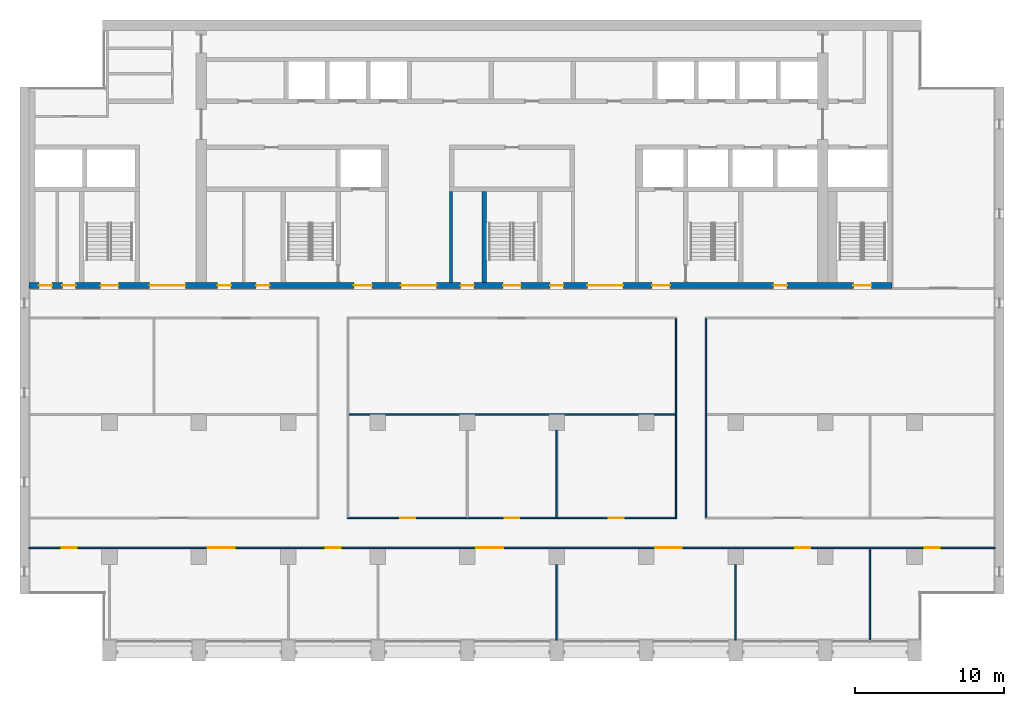
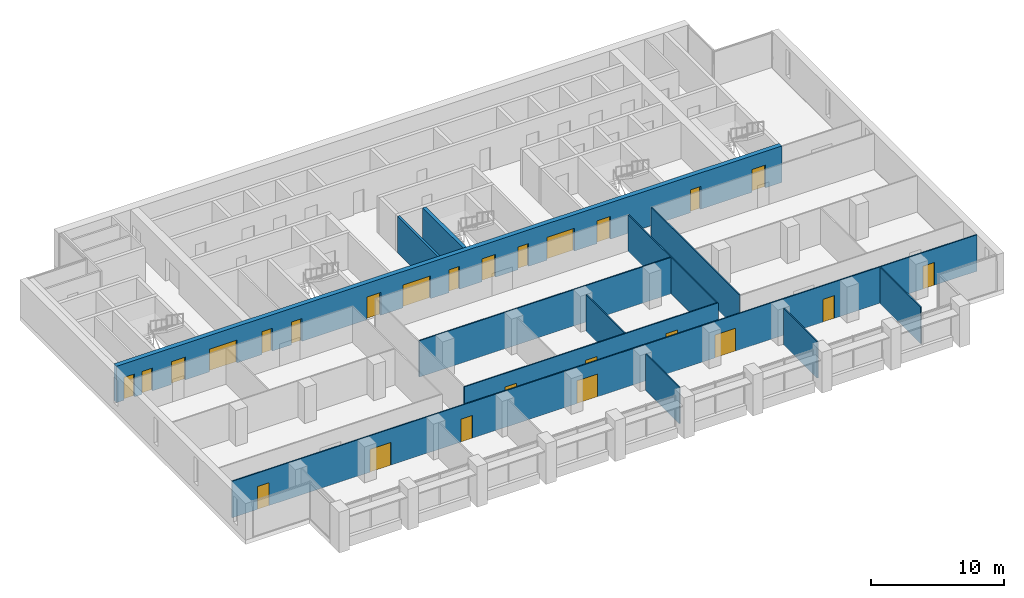
# One storey, part 9 of 17: 25 doors, 12 walls, 25 openings.
"""IFC4 building model written with IfcOpenShell, lengths in metres."""

import ifcopenshell
import ifcopenshell.guid

model = None  # the IFC model being written
_history = None  # IfcOwnerHistory: only IFC2X3 demands one
_inside = {}  # id of a spatial element -> (the spatial element, [elements in it])
_under = {}  # id of a project, library or spatial element -> (it, [spatial elements below it])
_declared = {}  # id of a project -> (the project, [libraries it declares])
_typed = {}  # id of a type object -> (the type object, [elements of that type])
_made_of = {}  # id of a material, layer set ... -> (it, [elements and type objects made of it])


def new_model(schema):
    """Start an empty IFC model of exactly this schema.

    Asked for "IFC4X3", IfcOpenShell would pick the latest addendum, in which some entities
    have other attributes; the version numbers below select the first issue.
    IFC2X3 requires an IfcOwnerHistory on every rooted entity: one is made here for all.
    """
    global model, _history
    if schema == "IFC4X3":
        model = ifcopenshell.file(schema_version=(4, 3, 0, 0))
    else:
        model = ifcopenshell.file(schema=schema)
    _inside.clear()
    _under.clear()
    _declared.clear()
    _typed.clear()
    _made_of.clear()
    _history = None
    if model.schema == "IFC2X3":
        org = make("IfcOrganization", Name="unknown")
        user = make(
            "IfcPersonAndOrganization",
            ThePerson=make("IfcPerson", FamilyName="unknown"),
            TheOrganization=org,
        )
        app = make(
            "IfcApplication",
            ApplicationDeveloper=org,
            Version="unknown",
            ApplicationFullName="unknown",
            ApplicationIdentifier="unknown",
        )
        _history = make(
            "IfcOwnerHistory",
            OwningUser=user,
            OwningApplication=app,
            ChangeAction="ADDED",
            CreationDate=0,
        )
    return model


def make(cls, **values):
    """One entity of the class cls with the attributes given. An attribute that is None is left unset."""
    return model.create_entity(
        cls, **{name: value for name, value in values.items() if value is not None}
    )


def rooted(cls, **values):
    """An entity with a GlobalId (a new one), such as an element, a storey or a relation."""
    return make(cls, GlobalId=ifcopenshell.guid.new(), OwnerHistory=_history, **values)


def si_unit(unit_type, name, prefix=None):
    """IfcSIUnit, for example si_unit("LENGTHUNIT", "METRE", prefix="MILLI")."""
    return make("IfcSIUnit", UnitType=unit_type, Prefix=prefix, Name=name)


def assignment(units):
    """IfcUnitAssignment: the units of a project."""
    return None if units is None else make("IfcUnitAssignment", Units=units)


def point(xyz):
    """IfcCartesianPoint."""
    return None if xyz is None else make("IfcCartesianPoint", Coordinates=xyz)


def direction(xyz):
    """IfcDirection."""
    return None if xyz is None else make("IfcDirection", DirectionRatios=xyz)


def frame(location, z_axis=None, x_axis=None):
    """IfcAxis2Placement3D, a coordinate frame: its origin and axes. An axis left out is left unset."""
    return make(
        "IfcAxis2Placement3D",
        Location=point(location),
        Axis=direction(z_axis),
        RefDirection=direction(x_axis),
    )


def frame_2d(location, x_axis=None):
    """IfcAxis2Placement2D, a coordinate frame in the plane: its origin and x axis."""
    return make(
        "IfcAxis2Placement2D", Location=point(location), RefDirection=direction(x_axis)
    )


def origin():
    """The frame at (0, 0, 0) with its axes left unset."""
    return frame((0.0, 0.0, 0.0))


def place(relative_to, where):
    """IfcLocalPlacement: puts the frame where relative to a parent placement (None: the world)."""
    return make(
        "IfcLocalPlacement", PlacementRelTo=relative_to, RelativePlacement=where
    )


def context(
    kind, dimensions, precision=None, world=None, true_north=None, identifier=None
):
    """IfcGeometricRepresentationContext, for example the 3D "Model" context."""
    return make(
        "IfcGeometricRepresentationContext",
        ContextIdentifier=identifier,
        ContextType=kind,
        CoordinateSpaceDimension=dimensions,
        Precision=precision,
        WorldCoordinateSystem=world,
        TrueNorth=true_north,
    )


def subcontext(parent, identifier, kind, view, scale=None):
    """IfcGeometricRepresentationSubContext, for example "Body" below "Model"."""
    return make(
        "IfcGeometricRepresentationSubContext",
        ContextIdentifier=identifier,
        ContextType=kind,
        ParentContext=parent,
        TargetScale=scale,
        TargetView=view,
    )


def project(units=None, contexts=None):
    """IfcProject with its units and contexts."""
    return rooted(
        "IfcProject",
        Name="project",
        RepresentationContexts=contexts,
        UnitsInContext=assignment(units),
    )


def spatial(cls, under=None, at=None, **own):
    """A site, building, storey or space (cls), placed at a placement, below another one or the project."""
    s = rooted(cls, ObjectPlacement=at, **own)
    if under is not None:
        _under.setdefault(under.id(), (under, []))[1].append(s)
    return s


def profile(cls, at=None, kind="AREA", **sizes):
    """A parametric profile (cls). Its sizes go by their IFC names, for example OverallWidth=200.0."""
    return make(cls, ProfileType=kind, Position=at, **sizes)


def rectangle(**sizes):
    """IfcRectangleProfileDef."""
    return profile("IfcRectangleProfileDef", **sizes)


def extrude(swept, where, along, depth):
    """IfcExtrudedAreaSolid: the profile swept, set in the frame where, extruded along a direction by depth."""
    return make(
        "IfcExtrudedAreaSolid",
        SweptArea=swept,
        Position=where,
        ExtrudedDirection=direction(along),
        Depth=depth,
    )


def shape(context_of_items, identifier, shape_type, items):
    """IfcShapeRepresentation: the items that make up one representation, for example the "Body"."""
    return make(
        "IfcShapeRepresentation",
        ContextOfItems=context_of_items,
        RepresentationIdentifier=identifier,
        RepresentationType=shape_type,
        Items=items,
    )


def material(Name=None, Category=None):
    """IfcMaterial."""
    return make("IfcMaterial", Name=Name, Category=Category)


def layer(
    of_material, thickness, ventilated=None, Name=None, Category=None, Priority=None
):
    """IfcMaterialLayer: one layer of a wall or slab, of a material (None: an air gap)."""
    return make(
        "IfcMaterialLayer",
        Material=of_material,
        LayerThickness=thickness,
        IsVentilated=ventilated,
        Name=Name,
        Category=Category,
        Priority=Priority,
    )


def layer_set(layers, Name=None):
    """IfcMaterialLayerSet."""
    return make("IfcMaterialLayerSet", MaterialLayers=layers, LayerSetName=Name)


def made_of(thing, what):
    """Note that an element or type object is made of a material, layer set ...; save() writes the relation."""
    if what is not None:
        _made_of.setdefault(what.id(), (what, []))[1].append(thing)
    return thing


def type_object(cls, material=None, **own):
    """A type object (cls), such as IfcWallType, which elements share."""
    return made_of(rooted(cls, **own), material)


def element(
    cls,
    number,
    at=None,
    inside=None,
    cuts=None,
    type_object=None,
    material=None,
    context=None,
    identifier="Body",
    shape_type=None,
    held_by="IfcProductDefinitionShape",
    body=None,
    shapes=None,
    **own,
):
    """One element of the class cls, such as IfcWall. Its Tag is "e" and its number.

    at: its placement. inside: the storey or other place that contains it. cuts: it is an
    opening in that element (IfcRelVoidsElement). A single representation is given by context,
    identifier, shape_type and body (its items); several are given by shapes. held_by: the class
    of the entity that holds the representations. save() writes the other relations.
    """
    e = rooted(cls, Tag="e%d" % number, ObjectPlacement=at, **own)
    if body is not None:
        shapes = [shape(context, identifier, shape_type, body)]
    if shapes is not None:
        e.Representation = make(held_by, Representations=shapes)
    if inside is not None:
        _inside.setdefault(inside.id(), (inside, []))[1].append(e)
    if cuts is not None:
        rooted(
            "IfcRelVoidsElement", RelatingBuildingElement=cuts, RelatedOpeningElement=e
        )
    if type_object is not None:
        _typed.setdefault(type_object.id(), (type_object, []))[1].append(e)
    return made_of(e, material)


def fill(opening, filler):
    """IfcRelFillsElement: the door or window that sits in an opening."""
    return rooted(
        "IfcRelFillsElement",
        RelatingOpeningElement=opening,
        RelatedBuildingElement=filler,
    )


def aggregate(whole, parts):
    """IfcRelAggregates: a whole, such as a stair, and the parts it consists of."""
    return rooted("IfcRelAggregates", RelatingObject=whole, RelatedObjects=parts)


def save(model, path):
    """Write the relations noted so far, then the file.

    IfcRelAggregates (storeys below a building ...), IfcRelContainedInSpatialStructure (elements
    in a storey), IfcRelDefinesByType, IfcRelAssociatesMaterial and IfcRelDeclares: one each for
    every whole, place, type object, material and project.
    """
    for whole, parts in _under.values():
        aggregate(whole, parts)
    for where, things in _inside.values():
        rooted(
            "IfcRelContainedInSpatialStructure",
            RelatedElements=things,
            RelatingStructure=where,
        )
    for kind, things in _typed.values():
        rooted("IfcRelDefinesByType", RelatedObjects=things, RelatingType=kind)
    for what, things in _made_of.values():
        rooted("IfcRelAssociatesMaterial", RelatedObjects=things, RelatingMaterial=what)
    for by, libraries in _declared.values():
        rooted("IfcRelDeclares", RelatingContext=by, RelatedDefinitions=libraries)
    model.write(path)


model = new_model("IFC4")

# Units and contexts
model_context = context("Model", 3, precision=1e-05, world=origin(), true_north=direction((0.0, 1.0)))
body_context = subcontext(model_context, "Body", "Model", "MODEL_VIEW")
ifc_project = project(units=[si_unit("LENGTHUNIT", "METRE"), si_unit("AREAUNIT", "SQUARE_METRE"), si_unit("VOLUMEUNIT", "CUBIC_METRE"), si_unit("PLANEANGLEUNIT", "RADIAN"), si_unit("MASSUNIT", "GRAM", prefix="KILO")], contexts=[model_context])

# Site, building, storey
site_placement = place(None, origin())
site = spatial("IfcSite", under=ifc_project, at=site_placement, CompositionType="ELEMENT")
building_placement = place(site_placement, origin())
building = spatial("IfcBuilding", under=site, at=building_placement, Name="Calvaro Tower", CompositionType="ELEMENT")
storey_placement = place(building_placement, frame((0.0, 0.0, 204.25)))
storey = spatial("IfcBuildingStorey", under=building, at=storey_placement, Name="L51", CompositionType="ELEMENT", Elevation=204.25)

# Walls
ifc_material_1 = material(Name="Blockwork partition", Category="masonry")
ifc_layer_1 = layer(ifc_material_1, 0.199951171875)
ifc_layer_set_1 = layer_set([ifc_layer_1], Name="Blockwork partition")
wall_type_1 = type_object("IfcWallType", Name="Core partition 200 REI 120", PredefinedType="PARTITIONING", material=ifc_layer_set_1)
wall_1_placement = place(storey_placement, frame((34.89990234375, 28.39990234375, 0.0), z_axis=(0.0, 0.0, 1.0), x_axis=(0.0, 1.0, 0.0)))
element("IfcWall", 1, at=wall_1_placement, inside=storey, type_object=wall_type_1, Name="Core partition", PredefinedType="PARTITIONING", context=body_context, shape_type="SweptSolid", body=[
    extrude(rectangle(XDim=6.10009765625, YDim=0.199951171875, at=frame_2d((3.050048828125, 0.0))), origin(), (0.0, 0.0, 1.0), 3.35009765625),
])
ifc_material_2 = material(Name="Concrete C50/60", Category="concrete")
ifc_layer_2 = layer(ifc_material_2, 0.300048828125)
ifc_layer_set_2 = layer_set([ifc_layer_2], Name="Concrete C50/60")
wall_type_2 = type_object("IfcWallType", Name="Core wall C50/60 300", PredefinedType="SHEAR", material=ifc_layer_set_2)
wall_2_placement = place(storey_placement, frame((37.14990234375, 28.39990234375, 0.0), z_axis=(0.0, 0.0, 1.0), x_axis=(0.0, 1.0, 0.0)))
element("IfcWall", 2, at=wall_2_placement, inside=storey, type_object=wall_type_2, Name="Core wall, stair enclosure", PredefinedType="SHEAR", context=body_context, shape_type="SweptSolid", body=[
    extrude(rectangle(XDim=6.10009765625, YDim=0.300048828125, at=frame_2d((3.050048828125, 0.0))), origin(), (0.0, 0.0, 1.0), 3.35009765625),
])

# Wall, openings, doors
ifc_material_3 = material(Name="Concrete C50/60", Category="concrete")
ifc_layer_3 = layer(ifc_material_3, 0.39990234375)
ifc_layer_set_3 = layer_set([ifc_layer_3], Name="Concrete C50/60")
wall_type_3 = type_object("IfcWallType", Name="Core wall C50/60 400", PredefinedType="SHEAR", material=ifc_layer_set_3)
wall_3_placement = place(storey_placement, frame((6.60009765625, 28.199951171875, 0.0), z_axis=(0.0, 0.0, 1.0), x_axis=(1.0, 0.0, 0.0)))
wall_3 = element("IfcWall", 3, at=wall_3_placement, inside=storey, type_object=wall_type_3, Name="Core wall, front", PredefinedType="SHEAR", context=body_context, shape_type="SweptSolid", body=[
    extrude(rectangle(XDim=57.89990234375, YDim=0.39990234375, at=frame_2d((28.949951171875, 0.0))), origin(), (0.0, 0.0, 1.0), 3.35009765625),
])
opening_1_placement = place(wall_3_placement, frame((12.66259765625, 0.0, 0.0)))
opening_1 = element("IfcOpeningElement", 4, at=opening_1_placement, cuts=wall_3, Name="Opening RD9E", PredefinedType="OPENING", context=body_context, shape_type="SweptSolid", body=[
    extrude(rectangle(XDim=0.89990234375, YDim=2.10009765625, at=frame_2d((0.449951171875, 1.050048828125))), frame((0.0, 0.2099609375, 0.0), z_axis=(0.0, -1.0, 0.0), x_axis=(1.0, 0.0, 0.0)), (0.0, 0.0, 1.0), 0.419921875),
])
opening_2_placement = place(wall_3_placement, frame((15.237548828125, 0.0, 0.0)))
opening_2 = element("IfcOpeningElement", 5, at=opening_2_placement, cuts=wall_3, Name="Opening RD9C", PredefinedType="OPENING", context=body_context, shape_type="SweptSolid", body=[
    extrude(rectangle(XDim=0.89990234375, YDim=2.10009765625, at=frame_2d((0.449951171875, 1.050048828125))), frame((0.0, 0.2099609375, 0.0), z_axis=(0.0, -1.0, 0.0), x_axis=(1.0, 0.0, 0.0)), (0.0, 0.0, 1.0), 0.419921875),
])
opening_3_placement = place(wall_3_placement, frame((49.949951171875, 0.0, 0.0)))
opening_3 = element("IfcOpeningElement", 6, at=opening_3_placement, cuts=wall_3, Name="Opening RD9E", PredefinedType="OPENING", context=body_context, shape_type="SweptSolid", body=[
    extrude(rectangle(XDim=0.89990234375, YDim=2.10009765625, at=frame_2d((0.449951171875, 1.050048828125))), frame((0.0, 0.2099609375, 0.0), z_axis=(0.0, -1.0, 0.0), x_axis=(1.0, 0.0, 0.0)), (0.0, 0.0, 1.0), 0.419921875),
])
opening_4_placement = place(wall_3_placement, frame((0.66259765625, 0.0, 0.0)))
opening_4 = element("IfcOpeningElement", 7, at=opening_4_placement, cuts=wall_3, Name="Opening RD9C", PredefinedType="OPENING", context=body_context, shape_type="SweptSolid", body=[
    extrude(rectangle(XDim=0.89990234375, YDim=2.10009765625, at=frame_2d((0.449951171875, 1.050048828125))), frame((0.0, 0.2099609375, 0.0), z_axis=(0.0, -1.0, 0.0), x_axis=(1.0, 0.0, 0.0)), (0.0, 0.0, 1.0), 0.419921875),
])
opening_5_placement = place(wall_3_placement, frame((2.237548828125, 0.0, 0.0)))
opening_5 = element("IfcOpeningElement", 8, at=opening_5_placement, cuts=wall_3, Name="Opening RD9E", PredefinedType="OPENING", context=body_context, shape_type="SweptSolid", body=[
    extrude(rectangle(XDim=0.89990234375, YDim=2.10009765625, at=frame_2d((0.449951171875, 1.050048828125))), frame((0.0, 0.2099609375, 0.0), z_axis=(0.0, -1.0, 0.0), x_axis=(1.0, 0.0, 0.0)), (0.0, 0.0, 1.0), 0.419921875),
])
opening_6_placement = place(wall_3_placement, frame((4.800048828125, 0.0, 0.0)))
opening_6 = element("IfcOpeningElement", 9, at=opening_6_placement, cuts=wall_3, Name="Opening SD12D", PredefinedType="OPENING", context=body_context, shape_type="SweptSolid", body=[
    extrude(rectangle(XDim=1.199951171875, YDim=2.10009765625, at=frame_2d((0.60009765625, 1.050048828125))), frame((0.0, 0.2099609375, 0.0), z_axis=(0.0, -1.0, 0.0), x_axis=(1.0, 0.0, 0.0)), (0.0, 0.0, 1.0), 0.419921875),
])
opening_7_placement = place(wall_3_placement, frame((31.800048828125, 0.0, 0.0)))
opening_7 = element("IfcOpeningElement", 10, at=opening_7_placement, cuts=wall_3, Name="Opening SD12D", PredefinedType="OPENING", context=body_context, shape_type="SweptSolid", body=[
    extrude(rectangle(XDim=1.199951171875, YDim=2.10009765625, at=frame_2d((0.60009765625, 1.050048828125))), frame((0.0, 0.2099609375, 0.0), z_axis=(0.0, -1.0, 0.0), x_axis=(1.0, 0.0, 0.0)), (0.0, 0.0, 1.0), 0.419921875),
])
opening_8_placement = place(wall_3_placement, frame((55.300048828125, 0.0, 0.0)))
opening_8 = element("IfcOpeningElement", 11, at=opening_8_placement, cuts=wall_3, Name="Opening SD12D", PredefinedType="OPENING", context=body_context, shape_type="SweptSolid", body=[
    extrude(rectangle(XDim=1.199951171875, YDim=2.10009765625, at=frame_2d((0.60009765625, 1.050048828125))), frame((0.0, 0.2099609375, 0.0), z_axis=(0.0, -1.0, 0.0), x_axis=(1.0, 0.0, 0.0)), (0.0, 0.0, 1.0), 0.419921875),
])
opening_9_placement = place(wall_3_placement, frame((21.800048828125, 0.0, 0.0)))
opening_9 = element("IfcOpeningElement", 12, at=opening_9_placement, cuts=wall_3, Name="Opening FD12F", PredefinedType="OPENING", context=body_context, shape_type="SweptSolid", body=[
    extrude(rectangle(XDim=1.199951171875, YDim=2.10009765625, at=frame_2d((0.60009765625, 1.050048828125))), frame((0.0, 0.2099609375, 0.0), z_axis=(0.0, -1.0, 0.0), x_axis=(1.0, 0.0, 0.0)), (0.0, 0.0, 1.0), 0.419921875),
])
opening_10_placement = place(wall_3_placement, frame((41.800048828125, 0.0, 0.0)))
opening_10 = element("IfcOpeningElement", 13, at=opening_10_placement, cuts=wall_3, Name="Opening FD12F", PredefinedType="OPENING", context=body_context, shape_type="SweptSolid", body=[
    extrude(rectangle(XDim=1.199951171875, YDim=2.10009765625, at=frame_2d((0.60009765625, 1.050048828125))), frame((0.0, 0.2099609375, 0.0), z_axis=(0.0, -1.0, 0.0), x_axis=(1.0, 0.0, 0.0)), (0.0, 0.0, 1.0), 0.419921875),
])
opening_11_placement = place(wall_3_placement, frame((24.949951171875, 0.0, 0.0)))
opening_11 = element("IfcOpeningElement", 14, at=opening_11_placement, cuts=wall_3, Name="Opening DD24D", PredefinedType="OPENING", context=body_context, shape_type="SweptSolid", body=[
    extrude(rectangle(XDim=2.39990234375, YDim=2.10009765625, at=frame_2d((1.199951171875, 1.050048828125))), frame((0.0, 0.2099609375, 0.0), z_axis=(0.0, -1.0, 0.0), x_axis=(1.0, 0.0, 0.0)), (0.0, 0.0, 1.0), 0.419921875),
])
opening_12_placement = place(wall_3_placement, frame((37.449951171875, 0.0, 0.0)))
opening_12 = element("IfcOpeningElement", 15, at=opening_12_placement, cuts=wall_3, Name="Opening DD24D", PredefinedType="OPENING", context=body_context, shape_type="SweptSolid", body=[
    extrude(rectangle(XDim=2.39990234375, YDim=2.10009765625, at=frame_2d((1.199951171875, 1.050048828125))), frame((0.0, 0.2099609375, 0.0), z_axis=(0.0, -1.0, 0.0), x_axis=(1.0, 0.0, 0.0)), (0.0, 0.0, 1.0), 0.419921875),
])
opening_13_placement = place(wall_3_placement, frame((8.10009765625, 0.0, 0.0)))
opening_13 = element("IfcOpeningElement", 16, at=opening_13_placement, cuts=wall_3, Name="Opening DD24D", PredefinedType="OPENING", context=body_context, shape_type="SweptSolid", body=[
    extrude(rectangle(XDim=2.39990234375, YDim=2.10009765625, at=frame_2d((1.199951171875, 1.050048828125))), frame((0.0, 0.2099609375, 0.0), z_axis=(0.0, -1.0, 0.0), x_axis=(1.0, 0.0, 0.0)), (0.0, 0.0, 1.0), 0.419921875),
])
opening_14_placement = place(wall_3_placement, frame((28.949951171875, 0.0, 0.0)))
opening_14 = element("IfcOpeningElement", 17, at=opening_14_placement, cuts=wall_3, Name="Opening RD9E", PredefinedType="OPENING", context=body_context, shape_type="SweptSolid", body=[
    extrude(rectangle(XDim=0.89990234375, YDim=2.10009765625, at=frame_2d((0.449951171875, 1.050048828125))), frame((0.0, 0.2099609375, 0.0), z_axis=(0.0, -1.0, 0.0), x_axis=(1.0, 0.0, 0.0)), (0.0, 0.0, 1.0), 0.419921875),
])
opening_15_placement = place(wall_3_placement, frame((34.949951171875, 0.0, 0.0)))
opening_15 = element("IfcOpeningElement", 18, at=opening_15_placement, cuts=wall_3, Name="Opening RD9E", PredefinedType="OPENING", context=body_context, shape_type="SweptSolid", body=[
    extrude(rectangle(XDim=0.89990234375, YDim=2.10009765625, at=frame_2d((0.449951171875, 1.050048828125))), frame((0.0, 0.2099609375, 0.0), z_axis=(0.0, -1.0, 0.0), x_axis=(1.0, 0.0, 0.0)), (0.0, 0.0, 1.0), 0.419921875),
])
ifc_material_4 = material(Name="Steel door set", Category="steel")
door_type_1 = type_object("IfcDoorType", Name="Fire door 1200 FD60S", OperationType="SINGLE_SWING_LEFT", PredefinedType="DOOR", material=ifc_material_4)
door_1_placement = place(opening_9_placement, origin())
door_1 = element("IfcDoor", 19, at=door_1_placement, inside=storey, type_object=door_type_1, Name="Fire door", OperationType="SINGLE_SWING_LEFT", OverallHeight=2.10009765625, OverallWidth=1.199951171875, PredefinedType="DOOR", context=body_context, shape_type="SweptSolid", body=[
    extrude(rectangle(XDim=1.199951171875, YDim=2.10009765625, at=frame_2d((0.60009765625, 1.050048828125))), frame((0.0, 0.02490234375, 0.0), z_axis=(0.0, -1.0, 0.0), x_axis=(1.0, 0.0, 0.0)), (0.0, 0.0, 1.0), 0.050048828125),
])
fill(opening_9, door_1)
door_2_placement = place(opening_10_placement, origin())
door_2 = element("IfcDoor", 20, at=door_2_placement, inside=storey, type_object=door_type_1, Name="Fire door", OperationType="SINGLE_SWING_LEFT", OverallHeight=2.10009765625, OverallWidth=1.199951171875, PredefinedType="DOOR", context=body_context, shape_type="SweptSolid", body=[
    extrude(rectangle(XDim=1.199951171875, YDim=2.10009765625, at=frame_2d((0.60009765625, 1.050048828125))), frame((0.0, 0.02490234375, 0.0), z_axis=(0.0, -1.0, 0.0), x_axis=(1.0, 0.0, 0.0)), (0.0, 0.0, 1.0), 0.050048828125),
])
fill(opening_10, door_2)
ifc_material_5 = material(Name="Steel door set", Category="steel")
door_type_2 = type_object("IfcDoorType", Name="Lobby double door 2400 FD30S", OperationType="DOUBLE_DOOR_SINGLE_SWING", PredefinedType="DOOR", material=ifc_material_5)
door_3_placement = place(opening_11_placement, origin())
door_3 = element("IfcDoor", 21, at=door_3_placement, inside=storey, type_object=door_type_2, Name="Lobby double door", OperationType="DOUBLE_DOOR_SINGLE_SWING", OverallHeight=2.10009765625, OverallWidth=2.39990234375, PredefinedType="DOOR", context=body_context, shape_type="SweptSolid", body=[
    extrude(rectangle(XDim=2.39990234375, YDim=2.10009765625, at=frame_2d((1.199951171875, 1.050048828125))), frame((0.0, 0.02490234375, 0.0), z_axis=(0.0, -1.0, 0.0), x_axis=(1.0, 0.0, 0.0)), (0.0, 0.0, 1.0), 0.050048828125),
])
fill(opening_11, door_3)
door_4_placement = place(opening_12_placement, origin())
door_4 = element("IfcDoor", 22, at=door_4_placement, inside=storey, type_object=door_type_2, Name="Lobby double door", OperationType="DOUBLE_DOOR_SINGLE_SWING", OverallHeight=2.10009765625, OverallWidth=2.39990234375, PredefinedType="DOOR", context=body_context, shape_type="SweptSolid", body=[
    extrude(rectangle(XDim=2.39990234375, YDim=2.10009765625, at=frame_2d((1.199951171875, 1.050048828125))), frame((0.0, 0.02490234375, 0.0), z_axis=(0.0, -1.0, 0.0), x_axis=(1.0, 0.0, 0.0)), (0.0, 0.0, 1.0), 0.050048828125),
])
fill(opening_12, door_4)
door_5_placement = place(opening_13_placement, origin())
door_5 = element("IfcDoor", 23, at=door_5_placement, inside=storey, type_object=door_type_2, Name="Lobby double door", OperationType="DOUBLE_DOOR_SINGLE_SWING", OverallHeight=2.10009765625, OverallWidth=2.39990234375, PredefinedType="DOOR", context=body_context, shape_type="SweptSolid", body=[
    extrude(rectangle(XDim=2.39990234375, YDim=2.10009765625, at=frame_2d((1.199951171875, 1.050048828125))), frame((0.0, 0.02490234375, 0.0), z_axis=(0.0, -1.0, 0.0), x_axis=(1.0, 0.0, 0.0)), (0.0, 0.0, 1.0), 0.050048828125),
])
fill(opening_13, door_5)
ifc_material_6 = material(Name="Steel door set", Category="steel")
door_type_3 = type_object("IfcDoorType", Name="Room door 900 FD30", OperationType="SINGLE_SWING_LEFT", PredefinedType="DOOR", material=ifc_material_6)
door_6_placement = place(opening_2_placement, origin())
door_6 = element("IfcDoor", 24, at=door_6_placement, inside=storey, type_object=door_type_3, Name="Room door", OperationType="SINGLE_SWING_RIGHT", OverallHeight=2.10009765625, OverallWidth=0.89990234375, PredefinedType="DOOR", context=body_context, shape_type="SweptSolid", body=[
    extrude(rectangle(XDim=0.89990234375, YDim=2.10009765625, at=frame_2d((0.449951171875, 1.050048828125))), frame((0.0, 0.02490234375, 0.0), z_axis=(0.0, -1.0, 0.0), x_axis=(1.0, 0.0, 0.0)), (0.0, 0.0, 1.0), 0.050048828125),
])
fill(opening_2, door_6)
door_7_placement = place(opening_4_placement, origin())
door_7 = element("IfcDoor", 25, at=door_7_placement, inside=storey, type_object=door_type_3, Name="Room door", OperationType="SINGLE_SWING_LEFT", OverallHeight=2.10009765625, OverallWidth=0.89990234375, PredefinedType="DOOR", context=body_context, shape_type="SweptSolid", body=[
    extrude(rectangle(XDim=0.89990234375, YDim=2.10009765625, at=frame_2d((0.449951171875, 1.050048828125))), frame((0.0, 0.02490234375, 0.0), z_axis=(0.0, -1.0, 0.0), x_axis=(1.0, 0.0, 0.0)), (0.0, 0.0, 1.0), 0.050048828125),
])
fill(opening_4, door_7)
ifc_material_7 = material(Name="Steel door set", Category="steel")
door_type_4 = type_object("IfcDoorType", Name="Room door 900 FD60", OperationType="SINGLE_SWING_LEFT", PredefinedType="DOOR", material=ifc_material_7)
door_8_placement = place(opening_1_placement, origin())
door_8 = element("IfcDoor", 26, at=door_8_placement, inside=storey, type_object=door_type_4, Name="Room door", OperationType="SINGLE_SWING_LEFT", OverallHeight=2.10009765625, OverallWidth=0.89990234375, PredefinedType="DOOR", context=body_context, shape_type="SweptSolid", body=[
    extrude(rectangle(XDim=0.89990234375, YDim=2.10009765625, at=frame_2d((0.449951171875, 1.050048828125))), frame((0.0, 0.02490234375, 0.0), z_axis=(0.0, -1.0, 0.0), x_axis=(1.0, 0.0, 0.0)), (0.0, 0.0, 1.0), 0.050048828125),
])
fill(opening_1, door_8)
door_9_placement = place(opening_3_placement, origin())
door_9 = element("IfcDoor", 27, at=door_9_placement, inside=storey, type_object=door_type_4, Name="Room door", OperationType="SINGLE_SWING_LEFT", OverallHeight=2.10009765625, OverallWidth=0.89990234375, PredefinedType="DOOR", context=body_context, shape_type="SweptSolid", body=[
    extrude(rectangle(XDim=0.89990234375, YDim=2.10009765625, at=frame_2d((0.449951171875, 1.050048828125))), frame((0.0, 0.02490234375, 0.0), z_axis=(0.0, -1.0, 0.0), x_axis=(1.0, 0.0, 0.0)), (0.0, 0.0, 1.0), 0.050048828125),
])
fill(opening_3, door_9)
door_10_placement = place(opening_5_placement, origin())
door_10 = element("IfcDoor", 28, at=door_10_placement, inside=storey, type_object=door_type_4, Name="Room door", OperationType="SINGLE_SWING_LEFT", OverallHeight=2.10009765625, OverallWidth=0.89990234375, PredefinedType="DOOR", context=body_context, shape_type="SweptSolid", body=[
    extrude(rectangle(XDim=0.89990234375, YDim=2.10009765625, at=frame_2d((0.449951171875, 1.050048828125))), frame((0.0, 0.02490234375, 0.0), z_axis=(0.0, -1.0, 0.0), x_axis=(1.0, 0.0, 0.0)), (0.0, 0.0, 1.0), 0.050048828125),
])
fill(opening_5, door_10)
door_11_placement = place(opening_14_placement, origin())
door_11 = element("IfcDoor", 29, at=door_11_placement, inside=storey, type_object=door_type_4, Name="Room door", OperationType="SINGLE_SWING_LEFT", OverallHeight=2.10009765625, OverallWidth=0.89990234375, PredefinedType="DOOR", context=body_context, shape_type="SweptSolid", body=[
    extrude(rectangle(XDim=0.89990234375, YDim=2.10009765625, at=frame_2d((0.449951171875, 1.050048828125))), frame((0.0, 0.02490234375, 0.0), z_axis=(0.0, -1.0, 0.0), x_axis=(1.0, 0.0, 0.0)), (0.0, 0.0, 1.0), 0.050048828125),
])
fill(opening_14, door_11)
door_12_placement = place(opening_15_placement, origin())
door_12 = element("IfcDoor", 30, at=door_12_placement, inside=storey, type_object=door_type_4, Name="Room door", OperationType="SINGLE_SWING_LEFT", OverallHeight=2.10009765625, OverallWidth=0.89990234375, PredefinedType="DOOR", context=body_context, shape_type="SweptSolid", body=[
    extrude(rectangle(XDim=0.89990234375, YDim=2.10009765625, at=frame_2d((0.449951171875, 1.050048828125))), frame((0.0, 0.02490234375, 0.0), z_axis=(0.0, -1.0, 0.0), x_axis=(1.0, 0.0, 0.0)), (0.0, 0.0, 1.0), 0.050048828125),
])
fill(opening_15, door_12)
ifc_material_8 = material(Name="Steel door set", Category="steel")
door_type_5 = type_object("IfcDoorType", Name="Stair door 1200 FD30S", OperationType="SINGLE_SWING_LEFT", PredefinedType="DOOR", material=ifc_material_8)
door_13_placement = place(opening_6_placement, origin())
door_13 = element("IfcDoor", 31, at=door_13_placement, inside=storey, type_object=door_type_5, Name="Stair door", OperationType="SINGLE_SWING_LEFT", OverallHeight=2.10009765625, OverallWidth=1.199951171875, PredefinedType="DOOR", context=body_context, shape_type="SweptSolid", body=[
    extrude(rectangle(XDim=1.199951171875, YDim=2.10009765625, at=frame_2d((0.60009765625, 1.050048828125))), frame((0.0, 0.02490234375, 0.0), z_axis=(0.0, -1.0, 0.0), x_axis=(1.0, 0.0, 0.0)), (0.0, 0.0, 1.0), 0.050048828125),
])
fill(opening_6, door_13)
door_14_placement = place(opening_7_placement, origin())
door_14 = element("IfcDoor", 32, at=door_14_placement, inside=storey, type_object=door_type_5, Name="Stair door", OperationType="SINGLE_SWING_LEFT", OverallHeight=2.10009765625, OverallWidth=1.199951171875, PredefinedType="DOOR", context=body_context, shape_type="SweptSolid", body=[
    extrude(rectangle(XDim=1.199951171875, YDim=2.10009765625, at=frame_2d((0.60009765625, 1.050048828125))), frame((0.0, 0.02490234375, 0.0), z_axis=(0.0, -1.0, 0.0), x_axis=(1.0, 0.0, 0.0)), (0.0, 0.0, 1.0), 0.050048828125),
])
fill(opening_7, door_14)
door_15_placement = place(opening_8_placement, origin())
door_15 = element("IfcDoor", 33, at=door_15_placement, inside=storey, type_object=door_type_5, Name="Stair door", OperationType="SINGLE_SWING_LEFT", OverallHeight=2.10009765625, OverallWidth=1.199951171875, PredefinedType="DOOR", context=body_context, shape_type="SweptSolid", body=[
    extrude(rectangle(XDim=1.199951171875, YDim=2.10009765625, at=frame_2d((0.60009765625, 1.050048828125))), frame((0.0, 0.02490234375, 0.0), z_axis=(0.0, -1.0, 0.0), x_axis=(1.0, 0.0, 0.0)), (0.0, 0.0, 1.0), 0.050048828125),
])
fill(opening_8, door_15)

ifc_material_9 = material(Name="Plasterboard on steel studs", Category="steel")
ifc_layer_4 = layer(ifc_material_9, 0.10009765625)
ifc_layer_set_4 = layer_set([ifc_layer_4], Name="Plasterboard on steel studs")
wall_type_4 = type_object("IfcWallType", Name="Partition 100", PredefinedType="PARTITIONING", material=ifc_layer_set_4)
wall_4_placement = place(storey_placement, frame((6.60009765625, 10.60009765625, 0.0), z_axis=(0.0, 0.0, 1.0), x_axis=(1.0, 0.0, 0.0)))
wall_4 = element("IfcWall", 34, at=wall_4_placement, inside=storey, type_object=wall_type_4, Name="Partition T29.W001", PredefinedType="PARTITIONING", context=body_context, shape_type="SweptSolid", body=[
    extrude(rectangle(XDim=64.7998046875, YDim=0.10009765625, at=frame_2d((32.39990234375, 0.0))), origin(), (0.0, 0.0, 1.0), 3.35009765625),
])
opening_16_placement = place(wall_4_placement, frame((12.0, 0.0, 0.0)))
opening_16 = element("IfcOpeningElement", 35, at=opening_16_placement, cuts=wall_4, Name="Opening T29.001", PredefinedType="OPENING", context=body_context, shape_type="SweptSolid", body=[
    extrude(rectangle(XDim=1.800048828125, YDim=2.10009765625, at=frame_2d((0.89990234375, 1.050048828125))), frame((0.0, 0.06005859375, 0.0), z_axis=(0.0, -1.0, 0.0), x_axis=(1.0, 0.0, 0.0)), (0.0, 0.0, 1.0), 0.1201171875),
])
opening_17_placement = place(wall_4_placement, frame((19.89990234375, 0.0, 0.0)))
opening_17 = element("IfcOpeningElement", 36, at=opening_17_placement, cuts=wall_4, Name="Opening T29.002", PredefinedType="OPENING", context=body_context, shape_type="SweptSolid", body=[
    extrude(rectangle(XDim=1.0, YDim=2.10009765625, at=frame_2d((0.5, 1.050048828125))), frame((0.0, 0.06005859375, 0.0), z_axis=(0.0, -1.0, 0.0), x_axis=(1.0, 0.0, 0.0)), (0.0, 0.0, 1.0), 0.1201171875),
])
opening_18_placement = place(wall_4_placement, frame((30.0, 0.0, 0.0)))
opening_18 = element("IfcOpeningElement", 37, at=opening_18_placement, cuts=wall_4, Name="Opening T29.003", PredefinedType="OPENING", context=body_context, shape_type="SweptSolid", body=[
    extrude(rectangle(XDim=1.800048828125, YDim=2.10009765625, at=frame_2d((0.89990234375, 1.050048828125))), frame((0.0, 0.06005859375, 0.0), z_axis=(0.0, -1.0, 0.0), x_axis=(1.0, 0.0, 0.0)), (0.0, 0.0, 1.0), 0.1201171875),
])
opening_19_placement = place(wall_4_placement, frame((42.0, 0.0, 0.0)))
opening_19 = element("IfcOpeningElement", 38, at=opening_19_placement, cuts=wall_4, Name="Opening T29.004", PredefinedType="OPENING", context=body_context, shape_type="SweptSolid", body=[
    extrude(rectangle(XDim=1.800048828125, YDim=2.10009765625, at=frame_2d((0.89990234375, 1.050048828125))), frame((0.0, 0.06005859375, 0.0), z_axis=(0.0, -1.0, 0.0), x_axis=(1.0, 0.0, 0.0)), (0.0, 0.0, 1.0), 0.1201171875),
])
opening_20_placement = place(wall_4_placement, frame((51.39990234375, 0.0, 0.0)))
opening_20 = element("IfcOpeningElement", 39, at=opening_20_placement, cuts=wall_4, Name="Opening T29.005", PredefinedType="OPENING", context=body_context, shape_type="SweptSolid", body=[
    extrude(rectangle(XDim=1.0, YDim=2.10009765625, at=frame_2d((0.5, 1.050048828125))), frame((0.0, 0.06005859375, 0.0), z_axis=(0.0, -1.0, 0.0), x_axis=(1.0, 0.0, 0.0)), (0.0, 0.0, 1.0), 0.1201171875),
])
opening_21_placement = place(wall_4_placement, frame((60.10009765625, 0.0, 0.0)))
opening_21 = element("IfcOpeningElement", 40, at=opening_21_placement, cuts=wall_4, Name="Opening T29.006", PredefinedType="OPENING", context=body_context, shape_type="SweptSolid", body=[
    extrude(rectangle(XDim=1.0, YDim=2.10009765625, at=frame_2d((0.5, 1.050048828125))), frame((0.0, 0.06005859375, 0.0), z_axis=(0.0, -1.0, 0.0), x_axis=(1.0, 0.0, 0.0)), (0.0, 0.0, 1.0), 0.1201171875),
])
opening_22_placement = place(wall_4_placement, frame((2.199951171875, 0.0, 0.0)))
opening_22 = element("IfcOpeningElement", 41, at=opening_22_placement, cuts=wall_4, Name="Opening T29.007", PredefinedType="OPENING", context=body_context, shape_type="SweptSolid", body=[
    extrude(rectangle(XDim=1.0, YDim=2.10009765625, at=frame_2d((0.5, 1.050048828125))), frame((0.0, 0.06005859375, 0.0), z_axis=(0.0, -1.0, 0.0), x_axis=(1.0, 0.0, 0.0)), (0.0, 0.0, 1.0), 0.1201171875),
])
ifc_material_10 = material(Name="Timber", Category="wood")
door_type_6 = type_object("IfcDoorType", Name="Internal double door 1800 x 2100", OperationType="DOUBLE_DOOR_SINGLE_SWING", PredefinedType="DOOR", material=ifc_material_10)
door_16_placement = place(opening_16_placement, origin())
door_16 = element("IfcDoor", 42, at=door_16_placement, inside=storey, type_object=door_type_6, Name="Door T29.001", OperationType="DOUBLE_DOOR_SINGLE_SWING", OverallHeight=2.10009765625, OverallWidth=1.800048828125, PredefinedType="DOOR", context=body_context, shape_type="SweptSolid", body=[
    extrude(rectangle(XDim=1.800048828125, YDim=2.10009765625, at=frame_2d((0.89990234375, 1.050048828125))), frame((0.0, 0.02490234375, 0.0), z_axis=(0.0, -1.0, 0.0), x_axis=(1.0, 0.0, 0.0)), (0.0, 0.0, 1.0), 0.050048828125),
])
fill(opening_16, door_16)
door_17_placement = place(opening_18_placement, origin())
door_17 = element("IfcDoor", 43, at=door_17_placement, inside=storey, type_object=door_type_6, Name="Door T29.003", OperationType="DOUBLE_DOOR_SINGLE_SWING", OverallHeight=2.10009765625, OverallWidth=1.800048828125, PredefinedType="DOOR", context=body_context, shape_type="SweptSolid", body=[
    extrude(rectangle(XDim=1.800048828125, YDim=2.10009765625, at=frame_2d((0.89990234375, 1.050048828125))), frame((0.0, 0.02490234375, 0.0), z_axis=(0.0, -1.0, 0.0), x_axis=(1.0, 0.0, 0.0)), (0.0, 0.0, 1.0), 0.050048828125),
])
fill(opening_18, door_17)
door_18_placement = place(opening_19_placement, origin())
door_18 = element("IfcDoor", 44, at=door_18_placement, inside=storey, type_object=door_type_6, Name="Door T29.004", OperationType="DOUBLE_DOOR_SINGLE_SWING", OverallHeight=2.10009765625, OverallWidth=1.800048828125, PredefinedType="DOOR", context=body_context, shape_type="SweptSolid", body=[
    extrude(rectangle(XDim=1.800048828125, YDim=2.10009765625, at=frame_2d((0.89990234375, 1.050048828125))), frame((0.0, 0.02490234375, 0.0), z_axis=(0.0, -1.0, 0.0), x_axis=(1.0, 0.0, 0.0)), (0.0, 0.0, 1.0), 0.050048828125),
])
fill(opening_19, door_18)
ifc_material_11 = material(Name="Timber", Category="wood")
door_type_7 = type_object("IfcDoorType", Name="Internal single door 1000 x 2100", OperationType="SINGLE_SWING_LEFT", PredefinedType="DOOR", material=ifc_material_11)
door_19_placement = place(opening_17_placement, origin())
door_19 = element("IfcDoor", 45, at=door_19_placement, inside=storey, type_object=door_type_7, Name="Door T29.002", OperationType="SINGLE_SWING_LEFT", OverallHeight=2.10009765625, OverallWidth=1.0, PredefinedType="DOOR", context=body_context, shape_type="SweptSolid", body=[
    extrude(rectangle(XDim=1.0, YDim=2.10009765625, at=frame_2d((0.5, 1.050048828125))), frame((0.0, 0.02490234375, 0.0), z_axis=(0.0, -1.0, 0.0), x_axis=(1.0, 0.0, 0.0)), (0.0, 0.0, 1.0), 0.050048828125),
])
fill(opening_17, door_19)
door_20_placement = place(opening_20_placement, origin())
door_20 = element("IfcDoor", 46, at=door_20_placement, inside=storey, type_object=door_type_7, Name="Door T29.005", OperationType="SINGLE_SWING_RIGHT", OverallHeight=2.10009765625, OverallWidth=1.0, PredefinedType="DOOR", context=body_context, shape_type="SweptSolid", body=[
    extrude(rectangle(XDim=1.0, YDim=2.10009765625, at=frame_2d((0.5, 1.050048828125))), frame((0.0, 0.02490234375, 0.0), z_axis=(0.0, -1.0, 0.0), x_axis=(1.0, 0.0, 0.0)), (0.0, 0.0, 1.0), 0.050048828125),
])
fill(opening_20, door_20)
door_21_placement = place(opening_21_placement, origin())
door_21 = element("IfcDoor", 47, at=door_21_placement, inside=storey, type_object=door_type_7, Name="Door T29.006", OperationType="SINGLE_SWING_RIGHT", OverallHeight=2.10009765625, OverallWidth=1.0, PredefinedType="DOOR", context=body_context, shape_type="SweptSolid", body=[
    extrude(rectangle(XDim=1.0, YDim=2.10009765625, at=frame_2d((0.5, 1.050048828125))), frame((0.0, 0.02490234375, 0.0), z_axis=(0.0, -1.0, 0.0), x_axis=(1.0, 0.0, 0.0)), (0.0, 0.0, 1.0), 0.050048828125),
])
fill(opening_21, door_21)
door_22_placement = place(opening_22_placement, origin())
door_22 = element("IfcDoor", 48, at=door_22_placement, inside=storey, type_object=door_type_7, Name="Door T29.007", OperationType="SINGLE_SWING_LEFT", OverallHeight=2.10009765625, OverallWidth=1.0, PredefinedType="DOOR", context=body_context, shape_type="SweptSolid", body=[
    extrude(rectangle(XDim=1.0, YDim=2.10009765625, at=frame_2d((0.5, 1.050048828125))), frame((0.0, 0.02490234375, 0.0), z_axis=(0.0, -1.0, 0.0), x_axis=(1.0, 0.0, 0.0)), (0.0, 0.0, 1.0), 0.050048828125),
])
fill(opening_22, door_22)

wall_5_placement = place(storey_placement, frame((27.949951171875, 12.60009765625, 0.0), z_axis=(0.0, 0.0, 1.0), x_axis=(1.0, 0.0, 0.0)))
wall_5 = element("IfcWall", 49, at=wall_5_placement, inside=storey, type_object=wall_type_4, Name="Partition T29.W003", PredefinedType="PARTITIONING", context=body_context, shape_type="SweptSolid", body=[
    extrude(rectangle(XDim=22.10009765625, YDim=0.10009765625, at=frame_2d((11.050048828125, 0.0))), origin(), (0.0, 0.0, 1.0), 3.35009765625),
])
opening_23_placement = place(wall_5_placement, frame((3.550048828125, 0.0, 0.0)))
opening_23 = element("IfcOpeningElement", 50, at=opening_23_placement, cuts=wall_5, Name="Opening T29.009", PredefinedType="OPENING", context=body_context, shape_type="SweptSolid", body=[
    extrude(rectangle(XDim=1.0, YDim=2.10009765625, at=frame_2d((0.5, 1.050048828125))), frame((0.0, 0.06005859375, 0.0), z_axis=(0.0, -1.0, 0.0), x_axis=(1.0, 0.0, 0.0)), (0.0, 0.0, 1.0), 0.1201171875),
])
opening_24_placement = place(wall_5_placement, frame((10.550048828125, 0.0, 0.0)))
opening_24 = element("IfcOpeningElement", 51, at=opening_24_placement, cuts=wall_5, Name="Opening T29.010", PredefinedType="OPENING", context=body_context, shape_type="SweptSolid", body=[
    extrude(rectangle(XDim=1.0, YDim=2.10009765625, at=frame_2d((0.5, 1.050048828125))), frame((0.0, 0.06005859375, 0.0), z_axis=(0.0, -1.0, 0.0), x_axis=(1.0, 0.0, 0.0)), (0.0, 0.0, 1.0), 0.1201171875),
])
opening_25_placement = place(wall_5_placement, frame((17.550048828125, 0.0, 0.0)))
opening_25 = element("IfcOpeningElement", 52, at=opening_25_placement, cuts=wall_5, Name="Opening T29.011", PredefinedType="OPENING", context=body_context, shape_type="SweptSolid", body=[
    extrude(rectangle(XDim=1.0, YDim=2.10009765625, at=frame_2d((0.5, 1.050048828125))), frame((0.0, 0.06005859375, 0.0), z_axis=(0.0, -1.0, 0.0), x_axis=(1.0, 0.0, 0.0)), (0.0, 0.0, 1.0), 0.1201171875),
])
door_23_placement = place(opening_23_placement, origin())
door_23 = element("IfcDoor", 53, at=door_23_placement, inside=storey, type_object=door_type_7, Name="Door T29.009", OperationType="SINGLE_SWING_LEFT", OverallHeight=2.10009765625, OverallWidth=1.0, PredefinedType="DOOR", context=body_context, shape_type="SweptSolid", body=[
    extrude(rectangle(XDim=1.0, YDim=2.10009765625, at=frame_2d((0.5, 1.050048828125))), frame((0.0, 0.02490234375, 0.0), z_axis=(0.0, -1.0, 0.0), x_axis=(1.0, 0.0, 0.0)), (0.0, 0.0, 1.0), 0.050048828125),
])
fill(opening_23, door_23)
door_24_placement = place(opening_24_placement, origin())
door_24 = element("IfcDoor", 54, at=door_24_placement, inside=storey, type_object=door_type_7, Name="Door T29.010", OperationType="SINGLE_SWING_RIGHT", OverallHeight=2.10009765625, OverallWidth=1.0, PredefinedType="DOOR", context=body_context, shape_type="SweptSolid", body=[
    extrude(rectangle(XDim=1.0, YDim=2.10009765625, at=frame_2d((0.5, 1.050048828125))), frame((0.0, 0.02490234375, 0.0), z_axis=(0.0, -1.0, 0.0), x_axis=(1.0, 0.0, 0.0)), (0.0, 0.0, 1.0), 0.050048828125),
])
fill(opening_24, door_24)
door_25_placement = place(opening_25_placement, origin())
door_25 = element("IfcDoor", 55, at=door_25_placement, inside=storey, type_object=door_type_7, Name="Door T29.011", OperationType="SINGLE_SWING_RIGHT", OverallHeight=2.10009765625, OverallWidth=1.0, PredefinedType="DOOR", context=body_context, shape_type="SweptSolid", body=[
    extrude(rectangle(XDim=1.0, YDim=2.10009765625, at=frame_2d((0.5, 1.050048828125))), frame((0.0, 0.02490234375, 0.0), z_axis=(0.0, -1.0, 0.0), x_axis=(1.0, 0.0, 0.0)), (0.0, 0.0, 1.0), 0.050048828125),
])
fill(opening_25, door_25)

# Walls
wall_6_placement = place(storey_placement, frame((28.050048828125, 19.550048828125, 0.0), z_axis=(0.0, 0.0, 1.0), x_axis=(1.0, 0.0, 0.0)))
element("IfcWall", 56, at=wall_6_placement, inside=storey, type_object=wall_type_4, Name="Partition T29.W006", PredefinedType="PARTITIONING", context=body_context, shape_type="SweptSolid", body=[
    extrude(rectangle(XDim=21.89990234375, YDim=0.10009765625, at=frame_2d((10.949951171875, 0.0))), origin(), (0.0, 0.0, 1.0), 3.35009765625),
])
wall_7_placement = place(storey_placement, frame((42.0, 4.39990234375, 0.0), z_axis=(0.0, 0.0, 1.0), x_axis=(0.0, 1.0, 0.0)))
element("IfcWall", 57, at=wall_7_placement, inside=storey, type_object=wall_type_4, Name="Partition T29.W019", PredefinedType="PARTITIONING", context=body_context, shape_type="SweptSolid", body=[
    extrude(rectangle(XDim=5.0751953125, YDim=0.10009765625, at=frame_2d((2.53759765625, 0.0))), origin(), (0.0, 0.0, 1.0), 3.35009765625),
])
wall_8_placement = place(storey_placement, frame((42.0, 12.64990234375, 0.0), z_axis=(0.0, 0.0, 1.0), x_axis=(0.0, 1.0, 0.0)))
element("IfcWall", 58, at=wall_8_placement, inside=storey, type_object=wall_type_4, Name="Partition T29.W020", PredefinedType="PARTITIONING", context=body_context, shape_type="SweptSolid", body=[
    extrude(rectangle(XDim=5.8251953125, YDim=0.10009765625, at=frame_2d((2.91259765625, 0.0))), origin(), (0.0, 0.0, 1.0), 3.35009765625),
])
for number, where, z_axis, x_axis, name in (
    (59, (50.0, 12.64990234375, 0.0), (0.0, 0.0, 1.0), (0.0, 1.0, 0.0), "Partition T29.W021"),
    (60, (52.0, 12.64990234375, 0.0), (0.0, 0.0, 1.0), (0.0, 1.0, 0.0), "Partition T29.W022"),
):
    element("IfcWall", number, at=place(storey_placement, frame(where, z_axis=z_axis, x_axis=x_axis)), inside=storey, type_object=wall_type_4, Name=name, PredefinedType="PARTITIONING", context=body_context, shape_type="SweptSolid", body=[
        extrude(rectangle(XDim=13.300048828125, YDim=0.10009765625, at=frame_2d((6.64990234375, 0.0))), origin(), (0.0, 0.0, 1.0), 3.35009765625),
    ])
wall_9_placement = place(storey_placement, frame((54.0, 4.39990234375, 0.0), z_axis=(0.0, 0.0, 1.0), x_axis=(0.0, 1.0, 0.0)))
element("IfcWall", 61, at=wall_9_placement, inside=storey, type_object=wall_type_4, Name="Partition T29.W023", PredefinedType="PARTITIONING", context=body_context, shape_type="SweptSolid", body=[
    extrude(rectangle(XDim=5.0751953125, YDim=0.10009765625, at=frame_2d((2.53759765625, 0.0))), origin(), (0.0, 0.0, 1.0), 3.35009765625),
])
wall_10_placement = place(storey_placement, frame((63.0, 4.39990234375, 0.0), z_axis=(0.0, 0.0, 1.0), x_axis=(0.0, 1.0, 0.0)))
element("IfcWall", 62, at=wall_10_placement, inside=storey, type_object=wall_type_4, Name="Partition T29.W024", PredefinedType="PARTITIONING", context=body_context, shape_type="SweptSolid", body=[
    extrude(rectangle(XDim=6.150146484375, YDim=0.10009765625, at=frame_2d((3.0751953125, 0.0))), origin(), (0.0, 0.0, 1.0), 3.35009765625),
])

save(model, "model.ifc")
